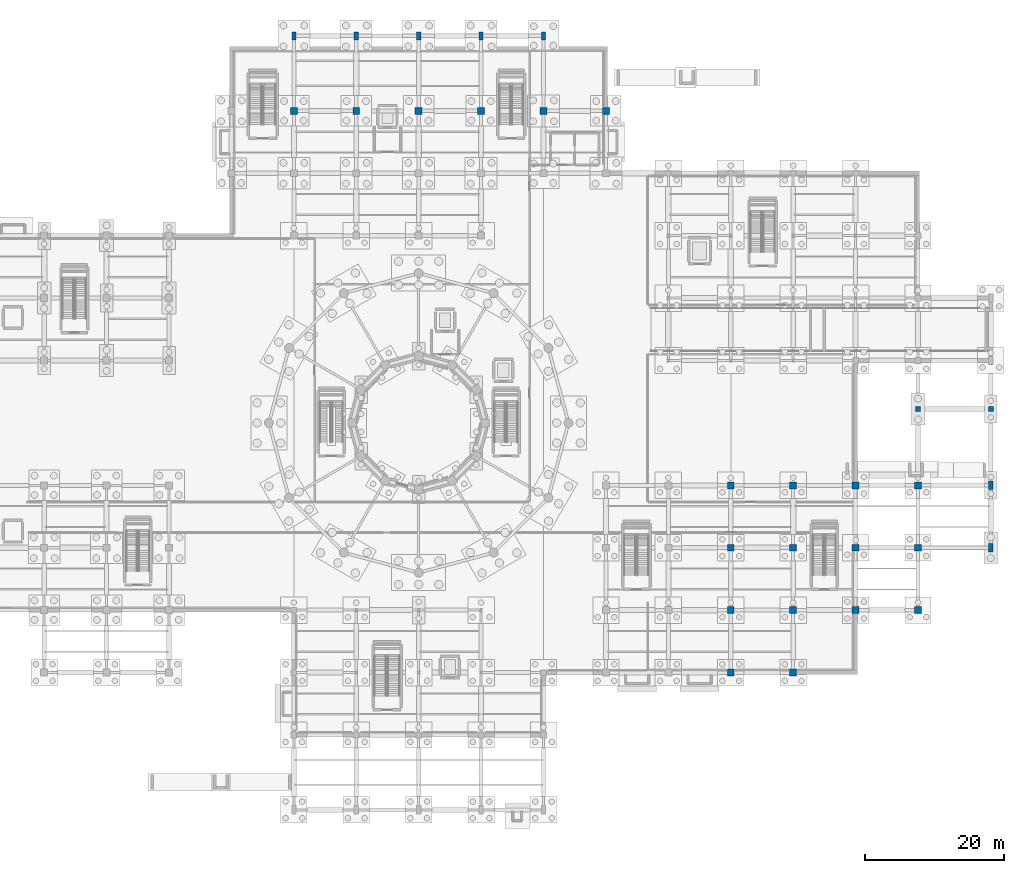
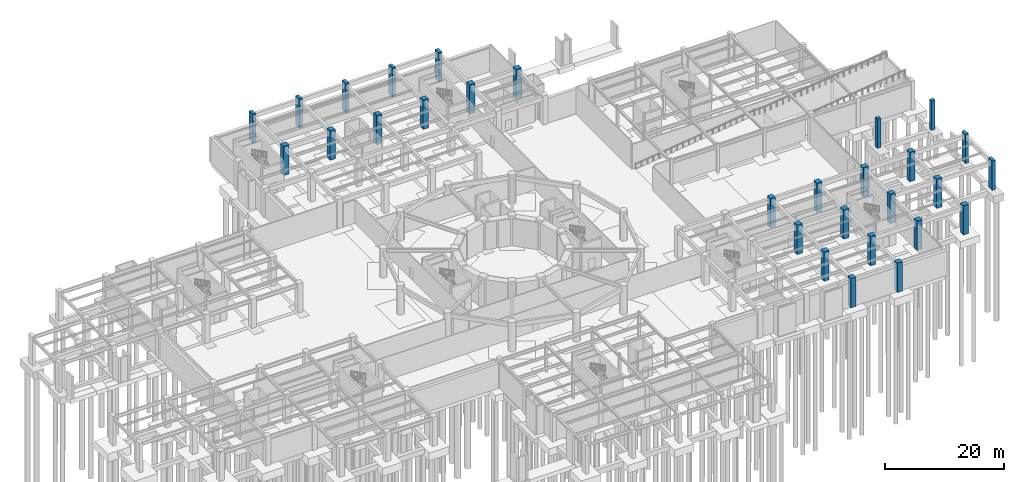
# One storey, part 11 of 36: 29 columns.
"""IFC4 building model written with IfcOpenShell, lengths in metres."""

from ifc_helpers import new_model, si_unit, direction, frame, origin, origin_2d, place, context, subcontext, project, spatial, rectangle, extrude, material, material_profile, profile_set, type_object, element, save


model = new_model("IFC4")

# Units and contexts
model_context = context("Model", 3, precision=1e-05, world=origin(), true_north=direction((0.0, 1.0)))
body_context = subcontext(model_context, "Body", "Model", "MODEL_VIEW")
ifc_project = project(units=[si_unit("LENGTHUNIT", "METRE"), si_unit("AREAUNIT", "SQUARE_METRE"), si_unit("VOLUMEUNIT", "CUBIC_METRE"), si_unit("PLANEANGLEUNIT", "RADIAN"), si_unit("MASSUNIT", "GRAM", prefix="KILO")], contexts=[model_context])

# Site, building, storey
site_placement = place(None, origin())
site = spatial("IfcSite", under=ifc_project, at=site_placement, CompositionType="ELEMENT")
building_placement = place(site_placement, origin())
building = spatial("IfcBuilding", under=site, at=building_placement, Name="Haizhuo Lancet Aquarium", CompositionType="ELEMENT")
storey_placement = place(building_placement, frame((0.0, 0.0, -6.0)))
storey = spatial("IfcBuildingStorey", under=building, at=storey_placement, Name="B1", CompositionType="ELEMENT", Elevation=-6.0)

# Columns
ifc_material_1 = material(Name="Concrete C50/60", Category="concrete")
ifc_material_profile_1 = material_profile(ifc_material_1, rectangle(XDim=1.0, YDim=1.0, at=origin_2d()), Name="RC-COL 1000x1000")
ifc_profile_set_1 = profile_set([ifc_material_profile_1], Name="Concrete C50/60")
column_type_1 = type_object("IfcColumnType", Name="COL-RC-1000", PredefinedType="COLUMN", material=ifc_profile_set_1)
for number, where, z_axis, x_axis, name in (
    (1, (45.0, -36.0, 0.0), (0.0, 0.0, 1.0), (1.0, 0.0, 0.0), "B1 column V3-COL-050"),
    (2, (45.0, -27.0, 0.0), (0.0, 0.0, 1.0), (1.0, 0.0, 0.0), "B1 column V3-COL-051"),
    (3, (45.0, -18.0, 0.0), (0.0, 0.0, 1.0), (1.0, 0.0, 0.0), "B1 column V3-COL-052"),
    (4, (45.0, -9.0, 0.0), (0.0, 0.0, 1.0), (1.0, 0.0, 0.0), "B1 column V3-COL-053"),
    (5, (54.0, -36.0, 0.0), (0.0, 0.0, 1.0), (1.0, 0.0, 0.0), "B1 column V3-COL-054"),
    (6, (54.0, -27.0, 0.0), (0.0, 0.0, 1.0), (1.0, 0.0, 0.0), "B1 column V3-COL-055"),
    (7, (54.0, -18.0, 0.0), (0.0, 0.0, 1.0), (1.0, 0.0, 0.0), "B1 column V3-COL-056"),
    (8, (54.0, -9.0, 0.0), (0.0, 0.0, 1.0), (1.0, 0.0, 0.0), "B1 column V3-COL-057"),
    (9, (63.0, -27.0, 0.0), (0.0, 0.0, 1.0), (1.0, 0.0, 0.0), "B1 column V3-COL-058"),
    (10, (63.0, -18.0, 0.0), (0.0, 0.0, 1.0), (1.0, 0.0, 0.0), "B1 column V3-COL-059"),
    (11, (63.0, -9.0, 0.0), (0.0, 0.0, 1.0), (1.0, 0.0, 0.0), "B1 column V3-COL-060"),
    (12, (72.0, -27.0, 0.0), (0.0, 0.0, 1.0), (1.0, 0.0, 0.0), "B1 column V3-COL-061"),
    (13, (72.0, -18.0, 0.0), (0.0, 0.0, 1.0), (1.0, 0.0, 0.0), "B1 column V3-COL-062"),
    (14, (72.0, -9.0, 0.0), (0.0, 0.0, 1.0), (1.0, 0.0, 0.0), "B1 column V3-COL-063"),
    (15, (-18.0, 45.0, 0.0), (0.0, 0.0, 1.0), (1.0, 0.0, 0.0), "B1 column V5-COL-089"),
    (16, (-9.0, 45.0, 0.0), (0.0, 0.0, 1.0), (1.0, 0.0, 0.0), "B1 column V5-COL-093"),
    (17, (0.0, 45.0, 0.0), (0.0, 0.0, 1.0), (1.0, 0.0, 0.0), "B1 column V5-COL-097"),
    (18, (9.0, 45.0, 0.0), (0.0, 0.0, 1.0), (1.0, 0.0, 0.0), "B1 column V5-COL-101"),
    (19, (18.0, 45.0, 0.0), (0.0, 0.0, 1.0), (1.0, 0.0, 0.0), "B1 column V5-COL-104"),
    (20, (27.0, 45.0, 0.0), (0.0, 0.0, 1.0), (1.0, 0.0, 0.0), "B1 column V5-COL-107"),
):
    element("IfcColumn", number, at=place(storey_placement, frame(where, z_axis=z_axis, x_axis=x_axis)), inside=storey, type_object=column_type_1, Name=name, PredefinedType="COLUMN", context=body_context, shape_type="SweptSolid", body=[
        extrude(rectangle(XDim=1.0, YDim=1.0, at=origin_2d()), origin(), (0.0, 0.0, 1.0), 6.0),
    ])
ifc_material_2 = material(Name="Concrete C40/50", Category="concrete")
ifc_material_profile_2 = material_profile(ifc_material_2, rectangle(XDim=0.699951171875, YDim=0.699951171875, at=origin_2d()), Name="RC-COL 700x700")
ifc_profile_set_2 = profile_set([ifc_material_profile_2], Name="Concrete C40/50")
column_type_2 = type_object("IfcColumnType", Name="COL-RC-700", PredefinedType="COLUMN", material=ifc_profile_set_2)
for number, where, z_axis, x_axis, name in (
    (21, (82.5, 2.0, 0.0), (0.0, 0.0, 1.0), (1.0, 0.0, 0.0), "B1 column V7-COL-149"),
    (22, (72.0, 2.0, 0.0), (0.0, 0.0, 1.0), (1.0, 0.0, 0.0), "B1 column V7-COL-150"),
):
    element("IfcColumn", number, at=place(storey_placement, frame(where, z_axis=z_axis, x_axis=x_axis)), inside=storey, type_object=column_type_2, Name=name, PredefinedType="COLUMN", context=body_context, shape_type="SweptSolid", body=[
        extrude(rectangle(XDim=0.699951171875, YDim=0.699951171875, at=origin_2d()), origin(), (0.0, 0.0, 1.0), 6.0),
    ])
ifc_material_3 = material(Name="Concrete C45/55", Category="concrete")
ifc_material_profile_3 = material_profile(ifc_material_3, rectangle(XDim=0.60009765625, YDim=1.199951171875, at=origin_2d()), Name="RC-PIL 600x1200")
ifc_profile_set_3 = profile_set([ifc_material_profile_3], Name="Concrete C45/55")
column_type_3 = type_object("IfcColumnType", Name="PIL-RC-600x1200", PredefinedType="PILASTER", material=ifc_profile_set_3)
for number, where, z_axis, x_axis, name in (
    (23, (82.5, -18.0, 0.0), (0.0, 0.0, 1.0), (1.0, 0.0, 0.0), "B1 column V3-COL-064"),
    (24, (82.5, -9.0, 0.0), (0.0, 0.0, 1.0), (1.0, 0.0, 0.0), "B1 column V3-COL-065"),
    (25, (-18.0, 55.800048828125, 0.0), (0.0, 0.0, 1.0), (1.0, 0.0, 0.0), "B1 column V5-COL-090"),
    (26, (-9.0, 55.800048828125, 0.0), (0.0, 0.0, 1.0), (1.0, 0.0, 0.0), "B1 column V5-COL-094"),
    (27, (0.0, 55.800048828125, 0.0), (0.0, 0.0, 1.0), (1.0, 0.0, 0.0), "B1 column V5-COL-098"),
    (28, (9.0, 55.800048828125, 0.0), (0.0, 0.0, 1.0), (1.0, 0.0, 0.0), "B1 column V5-COL-102"),
    (29, (18.0, 55.800048828125, 0.0), (0.0, 0.0, 1.0), (1.0, 0.0, 0.0), "B1 column V5-COL-105"),
):
    element("IfcColumn", number, at=place(storey_placement, frame(where, z_axis=z_axis, x_axis=x_axis)), inside=storey, type_object=column_type_3, Name=name, PredefinedType="PILASTER", context=body_context, shape_type="SweptSolid", body=[
        extrude(rectangle(XDim=0.60009765625, YDim=1.199951171875, at=origin_2d()), origin(), (0.0, 0.0, 1.0), 6.0),
    ])

save(model, "model.ifc")
